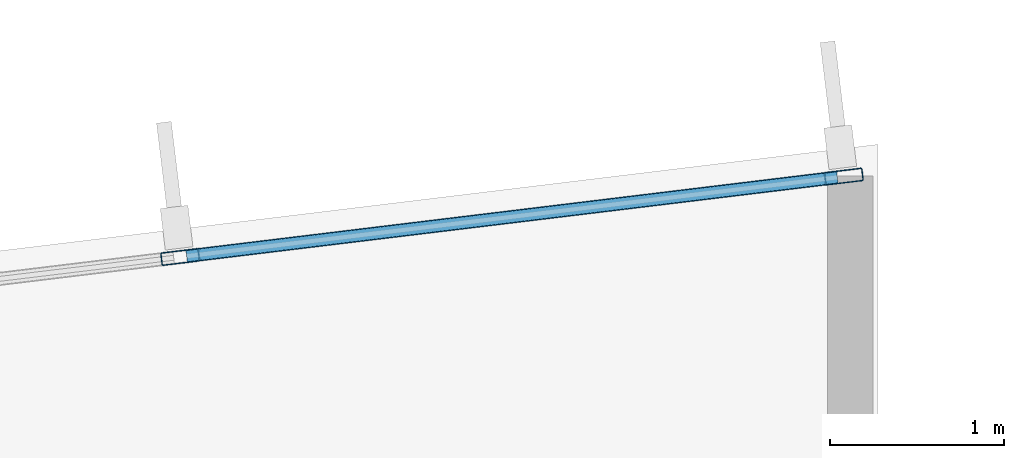
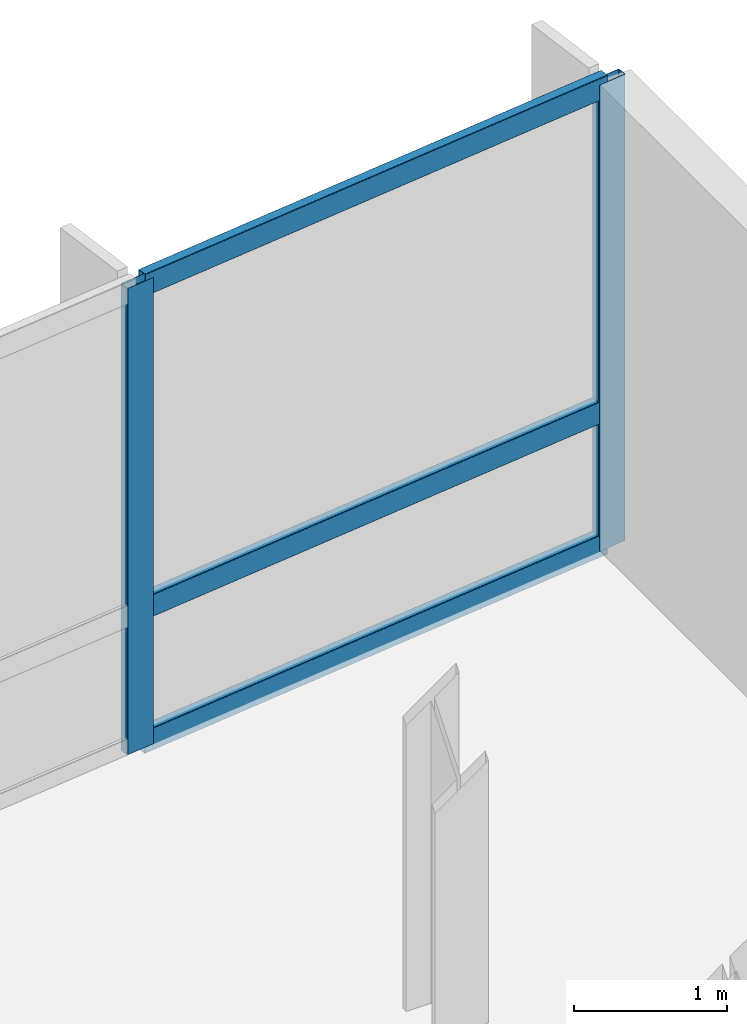
# One storey, part 8 of 18: 5 members, 1 element without a shape of its own.
"""IFC4 building model written with IfcOpenShell, lengths in metres."""

from ifc_helpers import new_model, si_unit, direction, frame, origin, origin_2d, place, context, subcontext, project, spatial, hollow_rectangle, extrude, material, layer, layer_set, material_profile, profile_set, type_object, element, aggregate, save


model = new_model("IFC4")

# Units and contexts
model_context = context("Model", 3, precision=1e-05, world=origin(), true_north=direction((0.0, 1.0)))
body_context = subcontext(model_context, "Body", "Model", "MODEL_VIEW")
ifc_project = project(units=[si_unit("LENGTHUNIT", "METRE"), si_unit("AREAUNIT", "SQUARE_METRE"), si_unit("VOLUMEUNIT", "CUBIC_METRE"), si_unit("PLANEANGLEUNIT", "RADIAN"), si_unit("MASSUNIT", "GRAM", prefix="KILO")], contexts=[model_context])

# Site, building, storey
site_placement = place(None, origin())
site = spatial("IfcSite", under=ifc_project, at=site_placement, CompositionType="ELEMENT")
building_placement = place(site_placement, origin())
building = spatial("IfcBuilding", under=site, at=building_placement, Name="Varnakote Quay Hospital", CompositionType="ELEMENT")
storey_placement = place(building_placement, frame((0.0, 0.0, 154.699951171875)))
storey = spatial("IfcBuildingStorey", under=building, at=storey_placement, Name="L38", CompositionType="ELEMENT", Elevation=154.699951171875)

# Curtain wall, members
ifc_material_1 = material(Name="Anodised aluminium 6063-T6 Bronze", Category="aluminium")
ifc_layer = layer(ifc_material_1, 0.205078125)
ifc_layer_set = layer_set([ifc_layer], Name="Anodised aluminium 6063-T6 Bronze")
curtain_wall_type = type_object("IfcCurtainWallType", Name="CW-SYS-3", PredefinedType="NOTDEFINED", material=ifc_layer_set)
curtain_wall_placement = place(storey_placement, origin())
curtain_wall = element("IfcCurtainWall", 1, at=curtain_wall_placement, inside=storey, type_object=curtain_wall_type, Name="L38 Unitised Bronze Curtain Wall 1", PredefinedType="NOTDEFINED")
ifc_material_2 = material(Name="Anodised aluminium 6063-T6 Bronze", Category="aluminium")
ifc_material_profile_1 = material_profile(ifc_material_2, hollow_rectangle(XDim=0.074951171875, YDim=0.219970703125, WallThickness=0.00439453125, InnerFilletRadius=0.00439453125, OuterFilletRadius=0.009033203125, at=origin_2d()), Name="CW-MULL-220x75")
ifc_profile_set_1 = profile_set([ifc_material_profile_1], Name="Anodised aluminium 6063-T6 Bronze")
member_type_1 = type_object("IfcMemberType", Name="CW-MULL-220x75", PredefinedType="MULLION", material=ifc_profile_set_1)
member_1_placement = place(storey_placement, frame((54.002685546875, 32.914794921875, 0.0), z_axis=(0.0, 0.0, 1.0), x_axis=(0.12032713492, -0.992734295067, 0.0)))
member_1 = element("IfcMember", 2, at=member_1_placement, type_object=member_type_1, Name="-3-L38-1 mullion 1", PredefinedType="MULLION", context=body_context, shape_type="SweptSolid", body=[
    extrude(hollow_rectangle(XDim=0.074951171875, YDim=0.219970703125, WallThickness=0.00439453125, InnerFilletRadius=0.00439453125, OuterFilletRadius=0.009033203125, at=origin_2d()), origin(), (0.0, 0.0, 1.0), 3.7099609375),
])
member_2_placement = place(storey_placement, frame((50.1875, 32.452392578125, 0.0), z_axis=(0.0, 0.0, 1.0), x_axis=(0.12032713492, -0.992734295067, 0.0)))
member_2 = element("IfcMember", 3, at=member_2_placement, type_object=member_type_1, Name="-3-L38-1 mullion 2", PredefinedType="MULLION", context=body_context, shape_type="SweptSolid", body=[
    extrude(hollow_rectangle(XDim=0.074951171875, YDim=0.219970703125, WallThickness=0.00439453125, InnerFilletRadius=0.00439453125, OuterFilletRadius=0.009033203125, at=origin_2d()), origin(), (0.0, 0.0, 1.0), 3.7099609375),
])
ifc_material_3 = material(Name="Anodised aluminium 6063-T6 Bronze", Category="aluminium")
ifc_material_profile_2 = material_profile(ifc_material_3, hollow_rectangle(XDim=0.074951171875, YDim=0.179931640625, WallThickness=0.004150390625, InnerFilletRadius=0.004150390625, OuterFilletRadius=0.00830078125, at=origin_2d()), Name="CW-TRAN-180x75")
ifc_profile_set_2 = profile_set([ifc_material_profile_2], Name="Anodised aluminium 6063-T6 Bronze")
member_type_2 = type_object("IfcMemberType", Name="CW-TRAN-180x75", PredefinedType="USERDEFINED", material=ifc_profile_set_2)
member_3_placement = place(storey_placement, frame((53.965576171875, 32.910400390625, 0.03759765625), z_axis=(-0.992735423717, -0.120317822859, 0.0), x_axis=(0.120317822859, -0.992735423717, 0.0)))
member_3 = element("IfcMember", 4, at=member_3_placement, type_object=member_type_2, Name="-3-L38-1 transom 1.1", ObjectType="TRANSOM", PredefinedType="USERDEFINED", context=body_context, shape_type="SweptSolid", body=[
    extrude(hollow_rectangle(XDim=0.074951171875, YDim=0.179931640625, WallThickness=0.004150390625, InnerFilletRadius=0.004150390625, OuterFilletRadius=0.00830078125, at=origin_2d()), origin(), (0.0, 0.0, 1.0), 3.76806640625),
])
member_4_placement = place(storey_placement, frame((53.965576171875, 32.910400390625, 1.10009765625), z_axis=(-0.992735423717, -0.120317822859, 0.0), x_axis=(0.120317822859, -0.992735423717, 0.0)))
member_4 = element("IfcMember", 5, at=member_4_placement, type_object=member_type_2, Name="-3-L38-1 transom 1.2", ObjectType="TRANSOM", PredefinedType="USERDEFINED", context=body_context, shape_type="SweptSolid", body=[
    extrude(hollow_rectangle(XDim=0.074951171875, YDim=0.179931640625, WallThickness=0.004150390625, InnerFilletRadius=0.004150390625, OuterFilletRadius=0.00830078125, at=origin_2d()), origin(), (0.0, 0.0, 1.0), 3.76806640625),
])
member_5_placement = place(storey_placement, frame((53.965576171875, 32.910400390625, 3.672607421875), z_axis=(-0.992735423717, -0.120317822859, 0.0), x_axis=(0.120317822859, -0.992735423717, 0.0)))
member_5 = element("IfcMember", 6, at=member_5_placement, type_object=member_type_2, Name="-3-L38-1 transom 1.3", ObjectType="TRANSOM", PredefinedType="USERDEFINED", context=body_context, shape_type="SweptSolid", body=[
    extrude(hollow_rectangle(XDim=0.074951171875, YDim=0.179931640625, WallThickness=0.004150390625, InnerFilletRadius=0.004150390625, OuterFilletRadius=0.00830078125, at=origin_2d()), origin(), (0.0, 0.0, 1.0), 3.76806640625),
])
aggregate(curtain_wall, [member_1, member_2, member_3, member_4, member_5])

save(model, "model.ifc")
